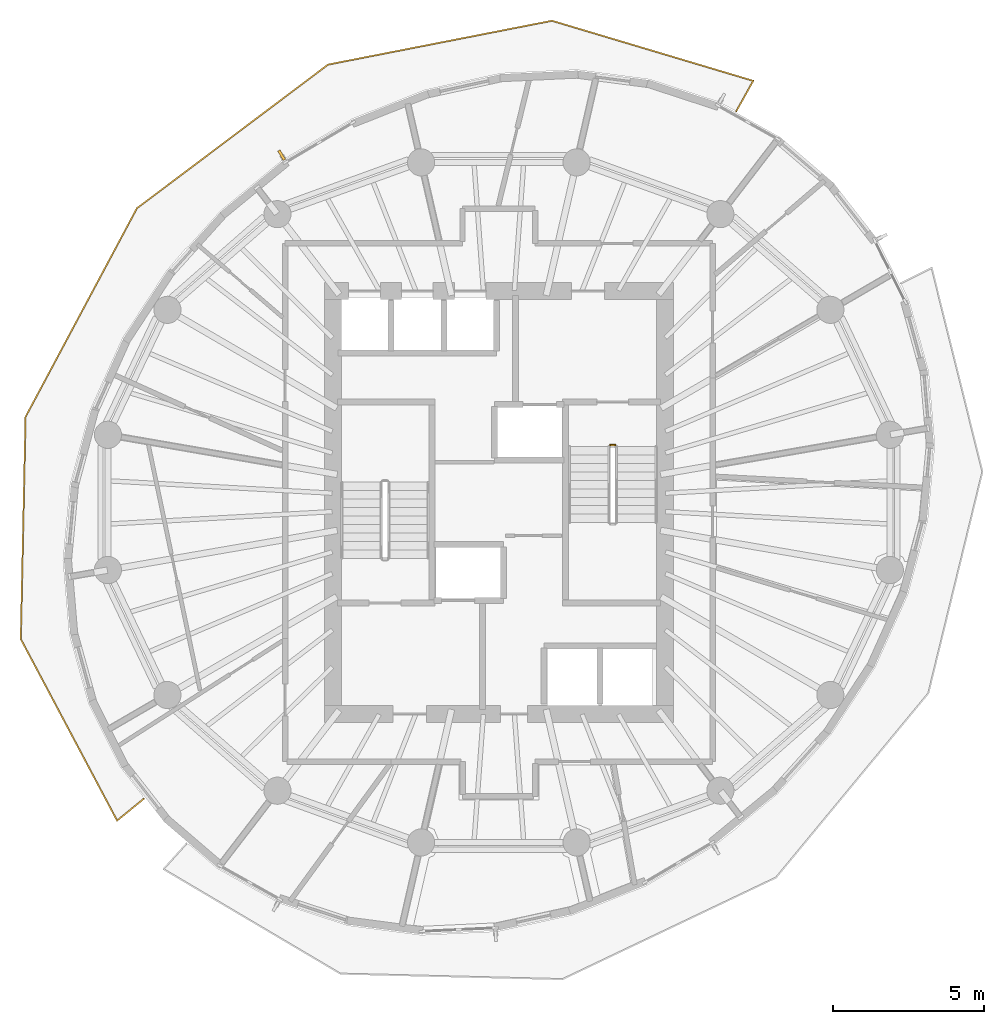
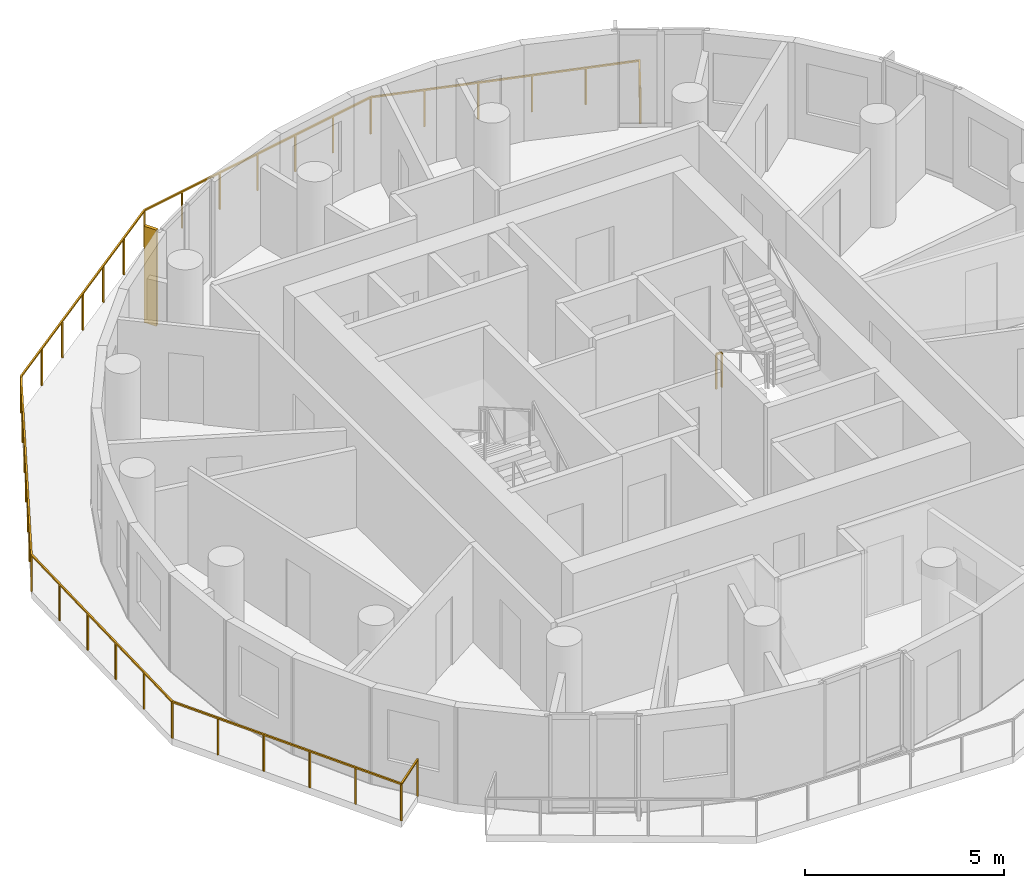
# One storey, part 9 of 10: 2 railings, 1 shading device.
"""IFC4 building model written with IfcOpenShell, lengths in metres."""

from ifc_helpers import new_model, si_unit, direction, frame, origin, origin_2d, place, context, subcontext, project, spatial, rectangle, extrude, material, layer, layer_set, type_object, element, save


model = new_model("IFC4")

# Units and contexts
model_context = context("Model", 3, precision=1e-05, world=origin(), true_north=direction((0.0, 1.0)))
body_context = subcontext(model_context, "Body", "Model", "MODEL_VIEW")
ifc_project = project(units=[si_unit("LENGTHUNIT", "METRE"), si_unit("AREAUNIT", "SQUARE_METRE"), si_unit("VOLUMEUNIT", "CUBIC_METRE"), si_unit("PLANEANGLEUNIT", "RADIAN"), si_unit("MASSUNIT", "GRAM", prefix="KILO")], contexts=[model_context])

# Site, building, storey
site_placement = place(None, origin())
site = spatial("IfcSite", under=ifc_project, at=site_placement, CompositionType="ELEMENT")
building_placement = place(site_placement, origin())
building = spatial("IfcBuilding", under=site, at=building_placement, Name="Veldorim Arch Residences", CompositionType="ELEMENT")
storey_placement = place(building_placement, frame((0.0, 0.0, 179.0400390625)))
storey = spatial("IfcBuildingStorey", under=building, at=storey_placement, Name="L53", CompositionType="ELEMENT", Elevation=179.0400390625)

# Railings
ifc_material_1 = material(Name="Aluminium", Category="aluminium")
railing_type_1 = type_object("IfcRailingType", Name="Balcony & Terrace Laminated Glass Balustrade 1150", PredefinedType="BALUSTRADE", material=ifc_material_1)
railing_1_placement = place(storey_placement, frame((39.86279296875, 36.956298828125, 0.0)))
element("IfcRailing", 1, at=railing_1_placement, inside=storey, type_object=railing_type_1, Name="L53 crescent balcony safety balustrade A", PredefinedType="BALUSTRADE", context=body_context, shape_type="SweptSolid", body=[
    extrude(rectangle(XDim=0.048095703125, YDim=0.048095703125, at=origin_2d()), frame((0.0, 0.0, 1.1259765625), z_axis=(0.486760012857, 0.873535740473, 0.0), x_axis=(-0.873535740473, 0.486760012857, 0.0)), (0.0, 0.0, 1.0), 1.150146484375),
    extrude(rectangle(XDim=0.048095703125, YDim=0.048095703125, at=origin_2d()), frame((0.559814453125, 1.004638671875, 1.1259765625), z_axis=(-0.958210829576, 0.286062940771, 0.0), x_axis=(-0.286062940771, -0.958210829576, 0.0)), (0.0, 0.0, 1.0), 6.95654296875),
    extrude(rectangle(XDim=0.048095703125, YDim=0.048095703125, at=origin_2d()), frame((-6.10595703125, 2.99462890625, 1.1259765625), z_axis=(-0.981368025405, -0.19213744745, 0.0), x_axis=(0.19213744745, -0.981368025405, 0.0)), (0.0, 0.0, 1.0), 7.555419921875),
    extrude(rectangle(XDim=0.048095703125, YDim=0.048095703125, at=origin_2d()), frame((-13.5205078125, 1.54296875, 1.1259765625), z_axis=(-0.799348408973, -0.600867806653, 0.0), x_axis=(0.600867806653, -0.799348408973, 0.0)), (0.0, 0.0, 1.0), 7.9189453125),
    extrude(rectangle(XDim=0.048095703125, YDim=0.048095703125, at=origin_2d()), frame((-19.8505859375, -3.21533203125, 1.1259765625), z_axis=(-0.470945780891, -0.882162157123, 0.0), x_axis=(0.882162157123, -0.470945780891, 0.0)), (0.0, 0.0, 1.0), 7.83154296875),
    extrude(rectangle(XDim=0.048095703125, YDim=0.048095703125, at=origin_2d()), frame((-23.538818359375, -10.1240234375, 1.1259765625), z_axis=(-0.02140446209, -0.999770898258, 0.0), x_axis=(0.999770898258, -0.02140446209, 0.0)), (0.0, 0.0, 1.0), 7.35693359375),
    extrude(rectangle(XDim=0.048095703125, YDim=0.048095703125, at=origin_2d()), frame((-23.6962890625, -17.479248046875, 1.1259765625), z_axis=(0.468597608375, -0.883411728146, 0.0), x_axis=(0.883411728146, 0.468597608375, 0.0)), (0.0, 0.0, 1.0), 6.80908203125),
    extrude(rectangle(XDim=0.048095703125, YDim=0.048095703125, at=origin_2d()), frame((-20.505615234375, -23.494384765625, 1.1259765625), z_axis=(0.774070797365, 0.63309904491, 0.0), x_axis=(-0.63309904491, 0.774070797365, 0.0)), (0.0, 0.0, 1.0), 1.14990234375),
    extrude(rectangle(XDim=0.0419921875, YDim=0.0419921875, at=origin_2d()), origin(), (0.0, 0.0, 1.0), 1.101806640625),
    extrude(rectangle(XDim=0.0419921875, YDim=0.0419921875, at=origin_2d()), frame((0.559814453125, 1.004638671875, 0.0)), (0.0, 0.0, 1.0), 1.101806640625),
    extrude(rectangle(XDim=0.0419921875, YDim=0.0419921875, at=origin_2d()), frame((-0.7734375, 1.402587890625, 0.0)), (0.0, 0.0, 1.0), 1.101806640625),
    extrude(rectangle(XDim=0.0419921875, YDim=0.0419921875, at=origin_2d()), frame((-2.1064453125, 1.800537109375, 0.0)), (0.0, 0.0, 1.0), 1.101806640625),
    extrude(rectangle(XDim=0.0419921875, YDim=0.0419921875, at=origin_2d()), frame((-3.439697265625, 2.19873046875, 0.0)), (0.0, 0.0, 1.0), 1.101806640625),
    extrude(rectangle(XDim=0.0419921875, YDim=0.0419921875, at=origin_2d()), frame((-4.772705078125, 2.5966796875, 0.0)), (0.0, 0.0, 1.0), 1.101806640625),
    extrude(rectangle(XDim=0.0419921875, YDim=0.0419921875, at=origin_2d()), frame((-6.10595703125, 2.99462890625, 0.0)), (0.0, 0.0, 1.0), 1.101806640625),
    extrude(rectangle(XDim=0.0419921875, YDim=0.0419921875, at=origin_2d()), frame((-7.341796875, 2.752685546875, 0.0)), (0.0, 0.0, 1.0), 1.101806640625),
    extrude(rectangle(XDim=0.0419921875, YDim=0.0419921875, at=origin_2d()), frame((-8.577392578125, 2.5107421875, 0.0)), (0.0, 0.0, 1.0), 1.101806640625),
    extrude(rectangle(XDim=0.0419921875, YDim=0.0419921875, at=origin_2d()), frame((-9.813232421875, 2.268798828125, 0.0)), (0.0, 0.0, 1.0), 1.101806640625),
    extrude(rectangle(XDim=0.0419921875, YDim=0.0419921875, at=origin_2d()), frame((-11.049072265625, 2.02685546875, 0.0)), (0.0, 0.0, 1.0), 1.101806640625),
    extrude(rectangle(XDim=0.0419921875, YDim=0.0419921875, at=origin_2d()), frame((-12.28466796875, 1.784912109375, 0.0)), (0.0, 0.0, 1.0), 1.101806640625),
    extrude(rectangle(XDim=0.0419921875, YDim=0.0419921875, at=origin_2d()), frame((-13.5205078125, 1.54296875, 0.0)), (0.0, 0.0, 1.0), 1.101806640625),
    extrude(rectangle(XDim=0.0419921875, YDim=0.0419921875, at=origin_2d()), frame((-14.575439453125, 0.75, 0.0)), (0.0, 0.0, 1.0), 1.101806640625),
    extrude(rectangle(XDim=0.0419921875, YDim=0.0419921875, at=origin_2d()), frame((-15.630615234375, -0.043212890625, 0.0)), (0.0, 0.0, 1.0), 1.101806640625),
    extrude(rectangle(XDim=0.0419921875, YDim=0.0419921875, at=origin_2d()), frame((-16.685546875, -0.836181640625, 0.0)), (0.0, 0.0, 1.0), 1.101806640625),
    extrude(rectangle(XDim=0.0419921875, YDim=0.0419921875, at=origin_2d()), frame((-17.740478515625, -1.629150390625, 0.0)), (0.0, 0.0, 1.0), 1.101806640625),
    extrude(rectangle(XDim=0.0419921875, YDim=0.0419921875, at=origin_2d()), frame((-18.795654296875, -2.42236328125, 0.0)), (0.0, 0.0, 1.0), 1.101806640625),
    extrude(rectangle(XDim=0.0419921875, YDim=0.0419921875, at=origin_2d()), frame((-19.8505859375, -3.21533203125, 0.0)), (0.0, 0.0, 1.0), 1.101806640625),
    extrude(rectangle(XDim=0.0419921875, YDim=0.0419921875, at=origin_2d()), frame((-20.46533203125, -4.36669921875, 0.0)), (0.0, 0.0, 1.0), 1.101806640625),
    extrude(rectangle(XDim=0.0419921875, YDim=0.0419921875, at=origin_2d()), frame((-21.080078125, -5.518310546875, 0.0)), (0.0, 0.0, 1.0), 1.101806640625),
    extrude(rectangle(XDim=0.0419921875, YDim=0.0419921875, at=origin_2d()), frame((-21.69482421875, -6.669677734375, 0.0)), (0.0, 0.0, 1.0), 1.101806640625),
    extrude(rectangle(XDim=0.0419921875, YDim=0.0419921875, at=origin_2d()), frame((-22.309326171875, -7.821044921875, 0.0)), (0.0, 0.0, 1.0), 1.101806640625),
    extrude(rectangle(XDim=0.0419921875, YDim=0.0419921875, at=origin_2d()), frame((-22.924072265625, -8.97265625, 0.0)), (0.0, 0.0, 1.0), 1.101806640625),
    extrude(rectangle(XDim=0.0419921875, YDim=0.0419921875, at=origin_2d()), frame((-23.538818359375, -10.1240234375, 0.0)), (0.0, 0.0, 1.0), 1.101806640625),
    extrude(rectangle(XDim=0.0419921875, YDim=0.0419921875, at=origin_2d()), frame((-23.5703125, -11.594970703125, 0.0)), (0.0, 0.0, 1.0), 1.101806640625),
    extrude(rectangle(XDim=0.0419921875, YDim=0.0419921875, at=origin_2d()), frame((-23.601806640625, -13.066162109375, 0.0)), (0.0, 0.0, 1.0), 1.101806640625),
    extrude(rectangle(XDim=0.0419921875, YDim=0.0419921875, at=origin_2d()), frame((-23.63330078125, -14.537109375, 0.0)), (0.0, 0.0, 1.0), 1.101806640625),
    extrude(rectangle(XDim=0.0419921875, YDim=0.0419921875, at=origin_2d()), frame((-23.664794921875, -16.00830078125, 0.0)), (0.0, 0.0, 1.0), 1.101806640625),
    extrude(rectangle(XDim=0.0419921875, YDim=0.0419921875, at=origin_2d()), frame((-23.6962890625, -17.479248046875, 0.0)), (0.0, 0.0, 1.0), 1.101806640625),
    extrude(rectangle(XDim=0.0419921875, YDim=0.0419921875, at=origin_2d()), frame((-23.05810546875, -18.682373046875, 0.0)), (0.0, 0.0, 1.0), 1.101806640625),
    extrude(rectangle(XDim=0.0419921875, YDim=0.0419921875, at=origin_2d()), frame((-22.419921875, -19.88525390625, 0.0)), (0.0, 0.0, 1.0), 1.101806640625),
    extrude(rectangle(XDim=0.0419921875, YDim=0.0419921875, at=origin_2d()), frame((-21.781982421875, -21.08837890625, 0.0)), (0.0, 0.0, 1.0), 1.101806640625),
    extrude(rectangle(XDim=0.0419921875, YDim=0.0419921875, at=origin_2d()), frame((-21.143798828125, -22.291259765625, 0.0)), (0.0, 0.0, 1.0), 1.101806640625),
    extrude(rectangle(XDim=0.0419921875, YDim=0.0419921875, at=origin_2d()), frame((-20.505615234375, -23.494384765625, 0.0)), (0.0, 0.0, 1.0), 1.101806640625),
    extrude(rectangle(XDim=0.0419921875, YDim=0.0419921875, at=origin_2d()), frame((-19.615478515625, -22.766357421875, 0.0)), (0.0, 0.0, 1.0), 1.101806640625),
])
ifc_material_2 = material(Name="Steel S355", Category="steel")
railing_type_2 = type_object("IfcRailingType", Name="Galvanised Steel Stair Safety Guardrail 1100", PredefinedType="GUARDRAIL", material=ifc_material_2)
railing_2_placement = place(storey_placement, frame((35.68994140625, 25.89990234375, 0.0)))
element("IfcRailing", 2, at=railing_2_placement, inside=storey, type_object=railing_type_2, Name="L53 ST-2 stair guard 4", PredefinedType="GUARDRAIL", context=body_context, shape_type="SweptSolid", body=[
    extrude(rectangle(XDim=0.048095703125, YDim=0.048095703125, at=origin_2d()), frame((0.0, 0.0, 1.076171875), z_axis=(1.0, 0.0, 0.0), x_axis=(0.0, 1.0, 0.0)), (0.0, 0.0, 1.0), 0.16015625),
    extrude(rectangle(XDim=0.0419921875, YDim=0.0419921875, at=origin_2d()), origin(), (0.0, 0.0, 1.0), 1.052001953125),
    extrude(rectangle(XDim=0.0419921875, YDim=0.0419921875, at=origin_2d()), frame((0.16015625, 0.0, 0.0)), (0.0, 0.0, 1.0), 1.052001953125),
])

# Shading device
ifc_material_3 = material(Name="Terracotta Ceramic", Category="masonry")
ifc_layer = layer(ifc_material_3, 0.090087890625, Name="Vertical Extruded Terracotta Baguette Sun-Shading Fin")
ifc_layer_set = layer_set([ifc_layer], Name="Terracotta Ceramic")
shading_device_type = type_object("IfcShadingDeviceType", Name="Vertical Extruded Terracotta Baguette Sun-Shading Fin", PredefinedType="USERDEFINED", material=ifc_layer_set)
shading_device_placement = place(storey_placement, frame((24.803955078125, 35.500244140625, 0.0), z_axis=(0.0, 0.0, 1.0), x_axis=(0.861097195167, 0.508440380454, 0.0)))
element("IfcShadingDevice", 3, at=shading_device_placement, inside=storey, type_object=shading_device_type, Name="L53 vertical terracotta sun-shading fin 08", ObjectType="FIN", PredefinedType="USERDEFINED", context=body_context, shape_type="SweptSolid", body=[
    extrude(rectangle(XDim=0.090087890625, YDim=0.360107421875, at=origin_2d()), origin(), (0.0, 0.0, 1.0), 2.9599609375),
])

save(model, "model.ifc")
